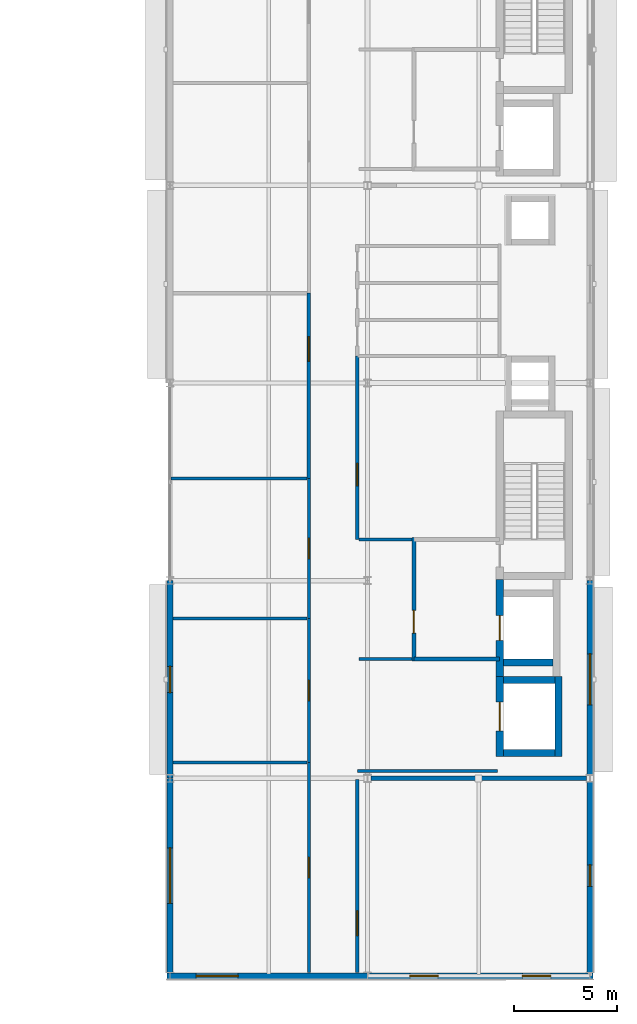
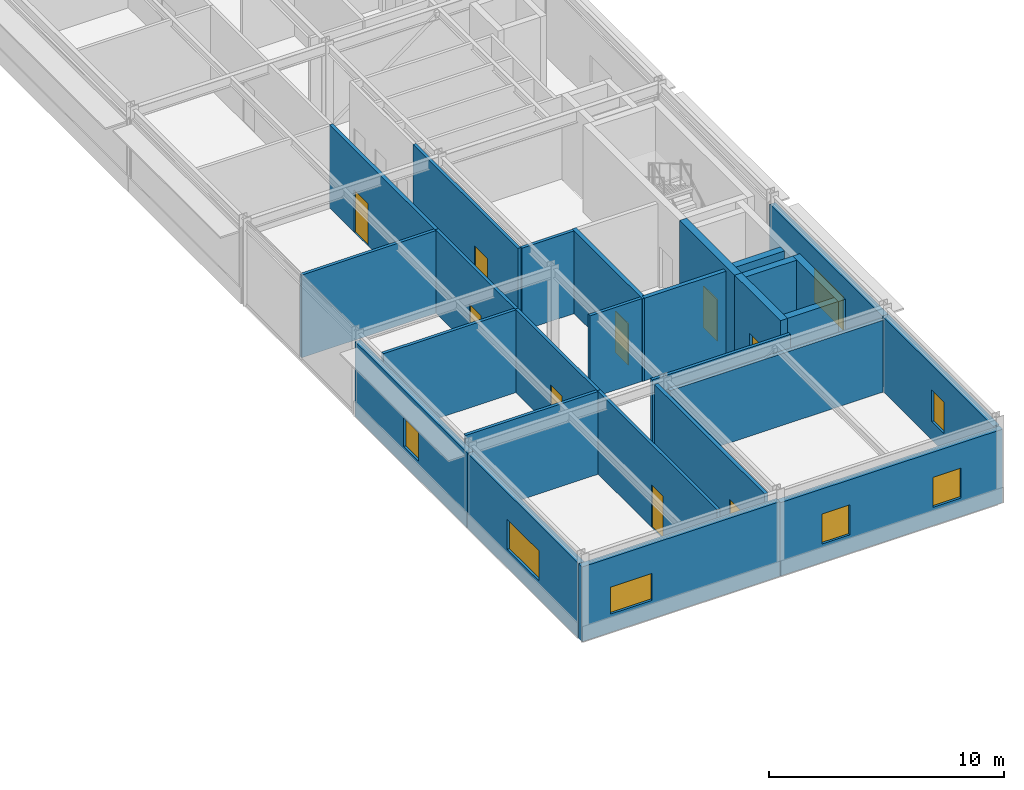
# One storey, part 66 of 89: 27 walls, 9 doors, 7 windows, 16 openings.
"""IFC4 building model written with IfcOpenShell, lengths in metres."""

from ifc_helpers import new_model, si_unit, direction, frame, frame_2d, origin, place, context, subcontext, project, spatial, rectangle, extrude, material, layer, layer_set, type_object, element, fill, save


model = new_model("IFC4")

# Units and contexts
model_context = context("Model", 3, precision=1e-05, world=origin(), true_north=direction((0.0, 1.0)))
body_context = subcontext(model_context, "Body", "Model", "MODEL_VIEW")
ifc_project = project(units=[si_unit("LENGTHUNIT", "METRE"), si_unit("AREAUNIT", "SQUARE_METRE"), si_unit("VOLUMEUNIT", "CUBIC_METRE"), si_unit("PLANEANGLEUNIT", "RADIAN"), si_unit("MASSUNIT", "GRAM", prefix="KILO")], contexts=[model_context])

# Site, building, storey
site_placement = place(None, origin())
site = spatial("IfcSite", under=ifc_project, at=site_placement, CompositionType="ELEMENT")
building_placement = place(site_placement, origin())
building = spatial("IfcBuilding", under=site, at=building_placement, Name="Almandine Court Research Institute", CompositionType="ELEMENT")
storey_placement = place(building_placement, frame((0.0, 0.0, 18.89990234375)))
storey = spatial("IfcBuildingStorey", under=building, at=storey_placement, Name="L04", CompositionType="ELEMENT", Elevation=18.89990234375)

# Wall, opening, window
ifc_material_1 = material(Name="Insulated Ochre Terracotta Rainscreen Wall", Category="masonry")
ifc_layer_1 = layer(ifc_material_1, 0.2900390625)
ifc_layer_set_1 = layer_set([ifc_layer_1], Name="Insulated Ochre Terracotta Rainscreen Wall")
wall_type_1 = type_object("IfcWallType", Name="Wall-EXT-TERR-290", PredefinedType="SOLIDWALL", material=ifc_layer_set_1)
wall_1_placement = place(storey_placement, frame((153.60009765625, 6.14892578125, 0.0), z_axis=(0.0, 0.0, 1.0), x_axis=(0.0, 1.0, 0.0)))
wall_1 = element("IfcWall", 1, at=wall_1_placement, inside=storey, type_object=wall_type_1, Name="L04 Wet Lab West Facade Wall 1", PredefinedType="SOLIDWALL", context=body_context, shape_type="SweptSolid", body=[
    extrude(rectangle(XDim=9.447021484375, YDim=0.2900390625, at=frame_2d((4.7236328125, 0.0))), origin(), (0.0, 0.0, 1.0), 3.89306640625),
])
opening_1_placement = place(wall_1_placement, frame((3.373046875, 0.0, 0.949951171875)))
opening_1 = element("IfcOpeningElement", 2, at=opening_1_placement, cuts=wall_1, Name="Opening WN-80", PredefinedType="OPENING", context=body_context, shape_type="SweptSolid", body=[
    extrude(rectangle(XDim=2.699951171875, YDim=1.56005859375, at=frame_2d((1.35009765625, 0.780029296875))), frame((0.0, 0.155029296875, 0.0), z_axis=(0.0, -1.0, 0.0), x_axis=(1.0, 0.0, 0.0)), (0.0, 0.0, 1.0), 0.31005859375),
])
ifc_material_2 = material(Name="Thermally Broken Low-E Double-Glazed Window", Category="glass")
window_type_1 = type_object("IfcWindowType", Name="Win-WN-80-2700x1560", PartitioningType="SINGLE_PANEL", PredefinedType="WINDOW", material=ifc_material_2)
window_1_placement = place(opening_1_placement, origin())
window_1 = element("IfcWindow", 3, at=window_1_placement, inside=storey, type_object=window_type_1, Name="L04 Modular Recessed Low-E Window 131", OverallHeight=1.56005859375, OverallWidth=2.699951171875, PartitioningType="SINGLE_PANEL", PredefinedType="WINDOW", context=body_context, shape_type="SweptSolid", body=[
    extrude(rectangle(XDim=2.699951171875, YDim=1.56005859375, at=frame_2d((1.35009765625, 0.780029296875))), frame((0.0, 0.030029296875, 0.0), z_axis=(0.0, -1.0, 0.0), x_axis=(1.0, 0.0, 0.0)), (0.0, 0.0, 1.0), 0.06005859375),
])
fill(opening_1, window_1)

wall_2_placement = place(storey_placement, frame((153.60009765625, 15.60400390625, 0.0), z_axis=(0.0, 0.0, 1.0), x_axis=(0.0, 1.0, 0.0)))
wall_2 = element("IfcWall", 4, at=wall_2_placement, inside=storey, type_object=wall_type_1, Name="L04 Wet Lab West Facade Wall 2", PredefinedType="SOLIDWALL", context=body_context, shape_type="SweptSolid", body=[
    extrude(rectangle(XDim=9.592041015625, YDim=0.2900390625, at=frame_2d((4.7958984375, 0.0))), origin(), (0.0, 0.0, 1.0), 3.89306640625),
])
opening_2_placement = place(wall_2_placement, frame((4.160888671875, 0.0, 0.949951171875)))
opening_2 = element("IfcOpeningElement", 5, at=opening_2_placement, cuts=wall_2, Name="Opening WN-81", PredefinedType="OPENING", context=body_context, shape_type="SweptSolid", body=[
    extrude(rectangle(XDim=1.27001953125, YDim=1.47998046875, at=frame_2d((0.635009765625, 0.739990234375))), frame((0.0, 0.155029296875, 0.0), z_axis=(0.0, -1.0, 0.0), x_axis=(1.0, 0.0, 0.0)), (0.0, 0.0, 1.0), 0.31005859375),
])
window_type_2 = type_object("IfcWindowType", Name="Win-WN-81-1270x1480", PartitioningType="SINGLE_PANEL", PredefinedType="WINDOW", material=ifc_material_2)
window_2_placement = place(opening_2_placement, origin())
window_2 = element("IfcWindow", 6, at=window_2_placement, inside=storey, type_object=window_type_2, Name="L04 Modular Recessed Low-E Window 132", OverallHeight=1.47998046875, OverallWidth=1.27001953125, PartitioningType="SINGLE_PANEL", PredefinedType="WINDOW", context=body_context, shape_type="SweptSolid", body=[
    extrude(rectangle(XDim=1.27001953125, YDim=1.47998046875, at=frame_2d((0.635009765625, 0.739990234375))), frame((0.0, 0.030029296875, 0.0), z_axis=(0.0, -1.0, 0.0), x_axis=(1.0, 0.0, 0.0)), (0.0, 0.0, 1.0), 0.06005859375),
])
fill(opening_2, window_2)

wall_3_placement = place(storey_placement, frame((174.0, 25.196044921875, 0.0), z_axis=(0.0, 0.0, 1.0), x_axis=(0.0, -1.0, 0.0)))
wall_3 = element("IfcWall", 7, at=wall_3_placement, inside=storey, type_object=wall_type_1, Name="L04 Wet Lab East Facade Wall 2", PredefinedType="SOLIDWALL", context=body_context, shape_type="SweptSolid", body=[
    extrude(rectangle(XDim=9.592041015625, YDim=0.2900390625, at=frame_2d((4.7958984375, 0.0))), origin(), (0.0, 0.0, 1.0), 3.884033203125),
])
opening_3_placement = place(wall_3_placement, frame((3.555908203125, 0.0, 0.949951171875)))
opening_3 = element("IfcOpeningElement", 8, at=opening_3_placement, cuts=wall_3, Name="Opening WN-74", PredefinedType="OPENING", context=body_context, shape_type="SweptSolid", body=[
    extrude(rectangle(XDim=2.47998046875, YDim=1.719970703125, at=frame_2d((1.239990234375, 0.85986328125))), frame((0.0, 0.155029296875, 0.0), z_axis=(0.0, -1.0, 0.0), x_axis=(1.0, 0.0, 0.0)), (0.0, 0.0, 1.0), 0.31005859375),
])
window_type_3 = type_object("IfcWindowType", Name="Win-WN-74-2480x1720", PartitioningType="SINGLE_PANEL", PredefinedType="WINDOW", material=ifc_material_2)
window_3_placement = place(opening_3_placement, origin())
window_3 = element("IfcWindow", 9, at=window_3_placement, inside=storey, type_object=window_type_3, Name="L04 Modular Recessed Low-E Window 141", OverallHeight=1.719970703125, OverallWidth=2.47998046875, PartitioningType="SINGLE_PANEL", PredefinedType="WINDOW", context=body_context, shape_type="SweptSolid", body=[
    extrude(rectangle(XDim=2.47998046875, YDim=1.719970703125, at=frame_2d((1.239990234375, 0.85986328125))), frame((0.0, 0.030029296875, 0.0), z_axis=(0.0, -1.0, 0.0), x_axis=(1.0, 0.0, 0.0)), (0.0, 0.0, 1.0), 0.06005859375),
])
fill(opening_3, window_3)

wall_4_placement = place(storey_placement, frame((174.0, 15.595947265625, 0.0), z_axis=(0.0, 0.0, 1.0), x_axis=(0.0, -1.0, 0.0)))
wall_4 = element("IfcWall", 10, at=wall_4_placement, inside=storey, type_object=wall_type_1, Name="L04 Wet Lab East Facade Wall 1", PredefinedType="SOLIDWALL", context=body_context, shape_type="SweptSolid", body=[
    extrude(rectangle(XDim=9.447021484375, YDim=0.2900390625, at=frame_2d((4.7236328125, 0.0))), origin(), (0.0, 0.0, 1.0), 3.884033203125),
])
opening_4_placement = place(wall_4_placement, frame((4.197998046875, 0.0, 0.949951171875)))
opening_4 = element("IfcOpeningElement", 11, at=opening_4_placement, cuts=wall_4, Name="Opening WN-11", PredefinedType="OPENING", context=body_context, shape_type="SweptSolid", body=[
    extrude(rectangle(XDim=1.050048828125, YDim=1.639892578125, at=frame_2d((0.52490234375, 0.81982421875))), frame((0.0, 0.155029296875, 0.0), z_axis=(0.0, -1.0, 0.0), x_axis=(1.0, 0.0, 0.0)), (0.0, 0.0, 1.0), 0.31005859375),
])
window_type_4 = type_object("IfcWindowType", Name="Win-WN-11-1050x1640", PartitioningType="SINGLE_PANEL", PredefinedType="WINDOW", material=ifc_material_2)
window_4_placement = place(opening_4_placement, origin())
window_4 = element("IfcWindow", 12, at=window_4_placement, inside=storey, type_object=window_type_4, Name="L04 Modular Recessed Low-E Window 142", OverallHeight=1.639892578125, OverallWidth=1.050048828125, PartitioningType="SINGLE_PANEL", PredefinedType="WINDOW", context=body_context, shape_type="SweptSolid", body=[
    extrude(rectangle(XDim=1.050048828125, YDim=1.639892578125, at=frame_2d((0.52490234375, 0.81982421875))), frame((0.0, 0.030029296875, 0.0), z_axis=(0.0, -1.0, 0.0), x_axis=(1.0, 0.0, 0.0)), (0.0, 0.0, 1.0), 0.06005859375),
])
fill(opening_4, window_4)

# Wall, openings, windows
wall_5_placement = place(storey_placement, frame((174.14501953125, 6.0, 0.0), z_axis=(0.0, 0.0, 1.0), x_axis=(-1.0, 0.0, 0.0)))
wall_5 = element("IfcWall", 13, at=wall_5_placement, inside=storey, type_object=wall_type_1, Name="L04 Wet Lab South Wall 1", PredefinedType="SOLIDWALL", context=body_context, shape_type="SweptSolid", body=[
    extrude(rectangle(XDim=10.94091796875, YDim=0.2900390625, at=frame_2d((5.470458984375, 0.0))), origin(), (0.0, 0.0, 1.0), 3.816162109375),
])
opening_5_placement = place(wall_5_placement, frame((2.044921875, 0.0, 0.949951171875)))
opening_5 = element("IfcOpeningElement", 14, at=opening_5_placement, cuts=wall_5, Name="Opening WN-75", PredefinedType="OPENING", context=body_context, shape_type="SweptSolid", body=[
    extrude(rectangle(XDim=1.3798828125, YDim=1.56005859375, at=frame_2d((0.68994140625, 0.780029296875))), frame((0.0, 0.155029296875, 0.0), z_axis=(0.0, -1.0, 0.0), x_axis=(1.0, 0.0, 0.0)), (0.0, 0.0, 1.0), 0.31005859375),
])
opening_6_placement = place(wall_5_placement, frame((7.51611328125, 0.0, 0.949951171875)))
opening_6 = element("IfcOpeningElement", 15, at=opening_6_placement, cuts=wall_5, Name="Opening WN-75", PredefinedType="OPENING", context=body_context, shape_type="SweptSolid", body=[
    extrude(rectangle(XDim=1.3798828125, YDim=1.56005859375, at=frame_2d((0.68994140625, 0.780029296875))), frame((0.0, 0.155029296875, 0.0), z_axis=(0.0, -1.0, 0.0), x_axis=(1.0, 0.0, 0.0)), (0.0, 0.0, 1.0), 0.31005859375),
])
window_type_5 = type_object("IfcWindowType", Name="Win-WN-75-1380x1560", PartitioningType="SINGLE_PANEL", PredefinedType="WINDOW", material=ifc_material_2)
window_5_placement = place(opening_5_placement, origin())
window_5 = element("IfcWindow", 16, at=window_5_placement, inside=storey, type_object=window_type_5, Name="L04 Modular Recessed Low-E Window 143", OverallHeight=1.56005859375, OverallWidth=1.3798828125, PartitioningType="SINGLE_PANEL", PredefinedType="WINDOW", context=body_context, shape_type="SweptSolid", body=[
    extrude(rectangle(XDim=1.3798828125, YDim=1.56005859375, at=frame_2d((0.68994140625, 0.780029296875))), frame((0.0, 0.030029296875, 0.0), z_axis=(0.0, -1.0, 0.0), x_axis=(1.0, 0.0, 0.0)), (0.0, 0.0, 1.0), 0.06005859375),
])
fill(opening_5, window_5)
window_6_placement = place(opening_6_placement, origin())
window_6 = element("IfcWindow", 17, at=window_6_placement, inside=storey, type_object=window_type_5, Name="L04 Modular Recessed Low-E Window 144", OverallHeight=1.56005859375, OverallWidth=1.3798828125, PartitioningType="SINGLE_PANEL", PredefinedType="WINDOW", context=body_context, shape_type="SweptSolid", body=[
    extrude(rectangle(XDim=1.3798828125, YDim=1.56005859375, at=frame_2d((0.68994140625, 0.780029296875))), frame((0.0, 0.030029296875, 0.0), z_axis=(0.0, -1.0, 0.0), x_axis=(1.0, 0.0, 0.0)), (0.0, 0.0, 1.0), 0.06005859375),
])
fill(opening_6, window_6)

# Wall, opening, window
wall_6_placement = place(storey_placement, frame((163.196044921875, 6.0, 0.0), z_axis=(0.0, 0.0, 1.0), x_axis=(-1.0, 0.0, 0.0)))
wall_6 = element("IfcWall", 18, at=wall_6_placement, inside=storey, type_object=wall_type_1, Name="L04 Wet Lab South Wall 2", PredefinedType="SOLIDWALL", context=body_context, shape_type="SweptSolid", body=[
    extrude(rectangle(XDim=9.740966796875, YDim=0.2900390625, at=frame_2d((4.87060546875, 0.0))), origin(), (0.0, 0.0, 1.0), 3.884033203125),
])
opening_7_placement = place(wall_6_placement, frame((6.285888671875, 0.0, 0.949951171875)))
opening_7 = element("IfcOpeningElement", 19, at=opening_7_placement, cuts=wall_6, Name="Opening WN-76", PredefinedType="OPENING", context=body_context, shape_type="SweptSolid", body=[
    extrude(rectangle(XDim=2.0400390625, YDim=1.39990234375, at=frame_2d((1.02001953125, 0.699951171875))), frame((0.0, 0.155029296875, 0.0), z_axis=(0.0, -1.0, 0.0), x_axis=(1.0, 0.0, 0.0)), (0.0, 0.0, 1.0), 0.31005859375),
])
window_type_6 = type_object("IfcWindowType", Name="Win-WN-76-2040x1400", PartitioningType="SINGLE_PANEL", PredefinedType="WINDOW", material=ifc_material_2)
window_7_placement = place(opening_7_placement, origin())
window_7 = element("IfcWindow", 20, at=window_7_placement, inside=storey, type_object=window_type_6, Name="L04 Modular Recessed Low-E Window 145", OverallHeight=1.39990234375, OverallWidth=2.0400390625, PartitioningType="SINGLE_PANEL", PredefinedType="WINDOW", context=body_context, shape_type="SweptSolid", body=[
    extrude(rectangle(XDim=2.0400390625, YDim=1.39990234375, at=frame_2d((1.02001953125, 0.699951171875))), frame((0.0, 0.030029296875, 0.0), z_axis=(0.0, -1.0, 0.0), x_axis=(1.0, 0.0, 0.0)), (0.0, 0.0, 1.0), 0.06005859375),
])
fill(opening_7, window_7)

# Wall, opening, door
ifc_material_3 = material(Name="One-Hour Fire-Rated Laboratory Partition")
ifc_layer_2 = layer(ifc_material_3, 0.175048828125)
ifc_layer_set_2 = layer_set([ifc_layer_2], Name="One-Hour Fire-Rated Laboratory Partition")
wall_type_2 = type_object("IfcWallType", Name="Wall-FIRE-175", PredefinedType="PARTITIONING", material=ifc_layer_set_2)
wall_7_placement = place(storey_placement, frame((160.35009765625, 30.159912109375, 0.0), z_axis=(0.0, 0.0, 1.0), x_axis=(0.0, 1.0, 0.0)))
wall_7 = element("IfcWall", 21, at=wall_7_placement, inside=storey, type_object=wall_type_2, Name="L04 Interior Partition W-V4-L04-WW-3", PredefinedType="PARTITIONING", context=body_context, shape_type="SweptSolid", body=[
    extrude(rectangle(XDim=9.0, YDim=0.175048828125, at=frame_2d((4.5, 0.0))), origin(), (0.0, 0.0, 1.0), 4.300048828125),
])
opening_8_placement = place(wall_7_placement, frame((5.68994140625, 0.0, 0.0)))
opening_8 = element("IfcOpeningElement", 22, at=opening_8_placement, cuts=wall_7, Name="Opening FD-LAB", PredefinedType="OPENING", context=body_context, shape_type="SweptSolid", body=[
    extrude(rectangle(XDim=1.199951171875, YDim=2.199951171875, at=frame_2d((0.60009765625, 1.10009765625))), frame((0.0, 0.097412109375, 0.0), z_axis=(0.0, -1.0, 0.0), x_axis=(1.0, 0.0, 0.0)), (0.0, 0.0, 1.0), 0.195068359375),
])
ifc_material_4 = material(Name="Fire-Rated Laboratory Containment Door")
door_type_1 = type_object("IfcDoorType", Name="Door-FD-LAB-1200", OperationType="NOTDEFINED", PredefinedType="DOOR", material=ifc_material_4)
door_1_placement = place(opening_8_placement, origin())
door_1 = element("IfcDoor", 23, at=door_1_placement, inside=storey, type_object=door_type_1, Name="L04 Wet Chemistry Laboratory Door", OperationType="SINGLE_SWING_LEFT", OverallHeight=2.199951171875, OverallWidth=1.199951171875, PredefinedType="DOOR", context=body_context, shape_type="SweptSolid", body=[
    extrude(rectangle(XDim=1.199951171875, YDim=2.199951171875, at=frame_2d((0.60009765625, 1.10009765625))), frame((0.0, 0.02490234375, 0.0), z_axis=(0.0, -1.0, 0.0), x_axis=(1.0, 0.0, 0.0)), (0.0, 0.0, 1.0), 0.050048828125),
])
fill(opening_8, door_1)

wall_8_placement = place(storey_placement, frame((162.699951171875, 6.159912109375, 0.0), z_axis=(0.0, 0.0, 1.0), x_axis=(0.0, 1.0, 0.0)))
wall_8 = element("IfcWall", 24, at=wall_8_placement, inside=storey, type_object=wall_type_2, Name="L04 Interior Partition W-V4-L04-EW-S", PredefinedType="PARTITIONING", context=body_context, shape_type="SweptSolid", body=[
    extrude(rectangle(XDim=9.39013671875, YDim=0.175048828125, at=frame_2d((4.695068359375, 0.0))), origin(), (0.0, 0.0, 1.0), 4.300048828125),
])
opening_9_placement = place(wall_8_placement, frame((1.800048828125, 0.0, 0.0)))
opening_9 = element("IfcOpeningElement", 25, at=opening_9_placement, cuts=wall_8, Name="Opening FD-LAB", PredefinedType="OPENING", context=body_context, shape_type="SweptSolid", body=[
    extrude(rectangle(XDim=1.199951171875, YDim=2.199951171875, at=frame_2d((0.60009765625, 1.10009765625))), frame((0.0, 0.097412109375, 0.0), z_axis=(0.0, -1.0, 0.0), x_axis=(1.0, 0.0, 0.0)), (0.0, 0.0, 1.0), 0.195068359375),
])
door_2_placement = place(opening_9_placement, origin())
door_2 = element("IfcDoor", 26, at=door_2_placement, inside=storey, type_object=door_type_1, Name="L04 Analytical Lab Door", OperationType="SINGLE_SWING_LEFT", OverallHeight=2.199951171875, OverallWidth=1.199951171875, PredefinedType="DOOR", context=body_context, shape_type="SweptSolid", body=[
    extrude(rectangle(XDim=1.199951171875, YDim=2.199951171875, at=frame_2d((0.60009765625, 1.10009765625))), frame((0.0, 0.02490234375, 0.0), z_axis=(0.0, -1.0, 0.0), x_axis=(1.0, 0.0, 0.0)), (0.0, 0.0, 1.0), 0.050048828125),
])
fill(opening_9, door_2)

# Wall
ifc_material_5 = material(Name="Two-Hour Fire-Barrier Enclosure Wall")
ifc_layer_3 = layer(ifc_material_5, 0.199951171875)
ifc_layer_set_3 = layer_set([ifc_layer_3], Name="Two-Hour Fire-Barrier Enclosure Wall")
wall_type_3 = type_object("IfcWallType", Name="Wall-FIRE-200", PredefinedType="SOLIDWALL", material=ifc_layer_set_3)
wall_9_placement = place(storey_placement, frame((163.360107421875, 15.60009765625, 0.0), z_axis=(0.0, 0.0, 1.0), x_axis=(1.0, 0.0, 0.0)))
element("IfcWall", 27, at=wall_9_placement, inside=storey, type_object=wall_type_3, Name="L04 Interior Partition W-BF-V4-BF1-L04", PredefinedType="SOLIDWALL", context=body_context, shape_type="SweptSolid", body=[
    extrude(rectangle(XDim=10.47998046875, YDim=0.199951171875, at=frame_2d((5.239990234375, 0.0))), origin(), (0.0, 0.0, 1.0), 3.739013671875),
])

# Wall, opening, door
wall_10_placement = place(storey_placement, frame((165.449951171875, 21.300048828125, 0.0), z_axis=(0.0, 0.0, 1.0), x_axis=(0.0, 1.0, 0.0)))
wall_10 = element("IfcWall", 28, at=wall_10_placement, inside=storey, type_object=wall_type_3, Name="L04 Interior Partition W-FFL1-L04-W", PredefinedType="SOLIDWALL", context=body_context, shape_type="SweptSolid", body=[
    extrude(rectangle(XDim=6.0, YDim=0.199951171875, at=frame_2d((3.0, 0.0))), origin(), (0.0, 0.0, 1.0), 4.300048828125),
])
opening_10_placement = place(wall_10_placement, frame((1.35009765625, 0.0, 0.0)))
opening_10 = element("IfcOpeningElement", 29, at=opening_10_placement, cuts=wall_10, Name="Opening FD-FFL", PredefinedType="OPENING", context=body_context, shape_type="SweptSolid", body=[
    extrude(rectangle(XDim=1.10009765625, YDim=2.14990234375, at=frame_2d((0.550048828125, 1.074951171875))), frame((0.0, 0.10986328125, 0.0), z_axis=(0.0, -1.0, 0.0), x_axis=(1.0, 0.0, 0.0)), (0.0, 0.0, 1.0), 0.219970703125),
])
ifc_material_6 = material(Name="Smoke-Tight Firefighting Lobby Fire Door")
door_type_2 = type_object("IfcDoorType", Name="Door-FD-FFL-1100", OperationType="NOTDEFINED", PredefinedType="DOOR", material=ifc_material_6)
door_3_placement = place(opening_10_placement, origin())
door_3 = element("IfcDoor", 30, at=door_3_placement, inside=storey, type_object=door_type_2, Name="L04 Firefighting Lobby Fire Door 1", OperationType="SINGLE_SWING_RIGHT", OverallHeight=2.14990234375, OverallWidth=1.10009765625, PredefinedType="DOOR", context=body_context, shape_type="SweptSolid", body=[
    extrude(rectangle(XDim=1.10009765625, YDim=2.14990234375, at=frame_2d((0.550048828125, 1.074951171875))), frame((0.0, 0.02490234375, 0.0), z_axis=(0.0, -1.0, 0.0), x_axis=(1.0, 0.0, 0.0)), (0.0, 0.0, 1.0), 0.050048828125),
])
fill(opening_10, door_3)

# Wall
wall_11_placement = place(storey_placement, frame((165.449951171875, 21.39990234375, 0.0), z_axis=(0.0, 0.0, 1.0), x_axis=(1.0, 0.0, 0.0)))
element("IfcWall", 31, at=wall_11_placement, inside=storey, type_object=wall_type_3, Name="L04 Interior Partition W-FFL1-L04-S", PredefinedType="SOLIDWALL", context=body_context, shape_type="SweptSolid", body=[
    extrude(rectangle(XDim=4.150146484375, YDim=0.199951171875, at=frame_2d((2.0751953125, 0.0))), origin(), (0.0, 0.0, 1.0), 4.300048828125),
])

# Wall, opening, door
ifc_material_7 = material(Name="Acoustic Steel-Stud Gypsum Partition Wall", Category="steel")
ifc_layer_4 = layer(ifc_material_7, 0.14990234375)
ifc_layer_set_4 = layer_set([ifc_layer_4], Name="Acoustic Steel-Stud Gypsum Partition Wall")
wall_type_4 = type_object("IfcWallType", Name="Wall-PART-150", PredefinedType="PARTITIONING", material=ifc_layer_set_4)
wall_12_placement = place(storey_placement, frame((160.35009765625, 6.159912109375, 0.0), z_axis=(0.0, 0.0, 1.0), x_axis=(0.0, 1.0, 0.0)))
wall_12 = element("IfcWall", 32, at=wall_12_placement, inside=storey, type_object=wall_type_4, Name="L04 Interior Partition W-V4-L04-WW-0", PredefinedType="PARTITIONING", context=body_context, shape_type="SweptSolid", body=[
    extrude(rectangle(XDim=10.2001953125, YDim=0.14990234375, at=frame_2d((5.10009765625, 0.0))), origin(), (0.0, 0.0, 1.0), 4.300048828125),
])
opening_11_placement = place(wall_12_placement, frame((4.60009765625, 0.0, 0.0)))
opening_11 = element("IfcOpeningElement", 33, at=opening_11_placement, cuts=wall_12, Name="Opening D-02", PredefinedType="OPENING", context=body_context, shape_type="SweptSolid", body=[
    extrude(rectangle(XDim=1.0, YDim=2.199951171875, at=frame_2d((0.5, 1.10009765625))), frame((0.0, 0.0849609375, 0.0), z_axis=(0.0, -1.0, 0.0), x_axis=(1.0, 0.0, 0.0)), (0.0, 0.0, 1.0), 0.169921875),
])
ifc_material_8 = material(Name="Solid-Core Timber Researcher Office Door", Category="wood")
door_type_3 = type_object("IfcDoorType", Name="Door-INT-1000", OperationType="NOTDEFINED", PredefinedType="DOOR", material=ifc_material_8)
door_4_placement = place(opening_11_placement, origin())
door_4 = element("IfcDoor", 34, at=door_4_placement, inside=storey, type_object=door_type_3, Name="L04 Seminar Room Door", OperationType="SINGLE_SWING_RIGHT", OverallHeight=2.199951171875, OverallWidth=1.0, PredefinedType="DOOR", context=body_context, shape_type="SweptSolid", body=[
    extrude(rectangle(XDim=1.0, YDim=2.199951171875, at=frame_2d((0.5, 1.10009765625))), frame((0.0, 0.02490234375, 0.0), z_axis=(0.0, -1.0, 0.0), x_axis=(1.0, 0.0, 0.0)), (0.0, 0.0, 1.0), 0.050048828125),
])
fill(opening_11, door_4)

# Wall
wall_13_placement = place(storey_placement, frame((153.760009765625, 16.360107421875, 0.0), z_axis=(0.0, 0.0, 1.0), x_axis=(1.0, 0.0, 0.0)))
element("IfcWall", 35, at=wall_13_placement, inside=storey, type_object=wall_type_4, Name="L04 Interior Partition W-V4-L04-WDIV-0", PredefinedType="PARTITIONING", context=body_context, shape_type="SweptSolid", body=[
    extrude(rectangle(XDim=6.510009765625, YDim=0.14990234375, at=frame_2d((3.2548828125, 0.0))), origin(), (0.0, 0.0, 1.0), 4.300048828125),
])

# Wall, opening, door
wall_14_placement = place(storey_placement, frame((160.35009765625, 16.360107421875, 0.0), z_axis=(0.0, 0.0, 1.0), x_axis=(0.0, 1.0, 0.0)))
wall_14 = element("IfcWall", 36, at=wall_14_placement, inside=storey, type_object=wall_type_4, Name="L04 Interior Partition W-V4-L04-WW-1", PredefinedType="PARTITIONING", context=body_context, shape_type="SweptSolid", body=[
    extrude(rectangle(XDim=7.0, YDim=0.14990234375, at=frame_2d((3.5, 0.0))), origin(), (0.0, 0.0, 1.0), 4.300048828125),
])
opening_12_placement = place(wall_14_placement, frame((3.0, 0.0, 0.0)))
opening_12 = element("IfcOpeningElement", 37, at=opening_12_placement, cuts=wall_14, Name="Opening D-02", PredefinedType="OPENING", context=body_context, shape_type="SweptSolid", body=[
    extrude(rectangle(XDim=1.0, YDim=2.199951171875, at=frame_2d((0.5, 1.10009765625))), frame((0.0, 0.0849609375, 0.0), z_axis=(0.0, -1.0, 0.0), x_axis=(1.0, 0.0, 0.0)), (0.0, 0.0, 1.0), 0.169921875),
])
door_5_placement = place(opening_12_placement, origin())
door_5 = element("IfcDoor", 38, at=door_5_placement, inside=storey, type_object=door_type_3, Name="L04 Instrument Room Door", OperationType="SINGLE_SWING_LEFT", OverallHeight=2.199951171875, OverallWidth=1.0, PredefinedType="DOOR", context=body_context, shape_type="SweptSolid", body=[
    extrude(rectangle(XDim=1.0, YDim=2.199951171875, at=frame_2d((0.5, 1.10009765625))), frame((0.0, 0.02490234375, 0.0), z_axis=(0.0, -1.0, 0.0), x_axis=(1.0, 0.0, 0.0)), (0.0, 0.0, 1.0), 0.050048828125),
])
fill(opening_12, door_5)

# Wall
wall_15_placement = place(storey_placement, frame((153.760009765625, 23.360107421875, 0.0), z_axis=(0.0, 0.0, 1.0), x_axis=(1.0, 0.0, 0.0)))
element("IfcWall", 39, at=wall_15_placement, inside=storey, type_object=wall_type_4, Name="L04 Interior Partition W-V4-L04-WDIV-1", PredefinedType="PARTITIONING", context=body_context, shape_type="SweptSolid", body=[
    extrude(rectangle(XDim=6.510009765625, YDim=0.14990234375, at=frame_2d((3.2548828125, 0.0))), origin(), (0.0, 0.0, 1.0), 4.300048828125),
])

# Wall, opening, door
wall_16_placement = place(storey_placement, frame((160.35009765625, 23.360107421875, 0.0), z_axis=(0.0, 0.0, 1.0), x_axis=(0.0, 1.0, 0.0)))
wall_16 = element("IfcWall", 40, at=wall_16_placement, inside=storey, type_object=wall_type_4, Name="L04 Interior Partition W-V4-L04-WW-2", PredefinedType="PARTITIONING", context=body_context, shape_type="SweptSolid", body=[
    extrude(rectangle(XDim=6.7998046875, YDim=0.14990234375, at=frame_2d((3.39990234375, 0.0))), origin(), (0.0, 0.0, 1.0), 4.300048828125),
])
opening_13_placement = place(wall_16_placement, frame((2.89990234375, 0.0, 0.0)))
opening_13 = element("IfcOpeningElement", 41, at=opening_13_placement, cuts=wall_16, Name="Opening D-02", PredefinedType="OPENING", context=body_context, shape_type="SweptSolid", body=[
    extrude(rectangle(XDim=1.0, YDim=2.199951171875, at=frame_2d((0.5, 1.10009765625))), frame((0.0, 0.0849609375, 0.0), z_axis=(0.0, -1.0, 0.0), x_axis=(1.0, 0.0, 0.0)), (0.0, 0.0, 1.0), 0.169921875),
])
door_6_placement = place(opening_13_placement, origin())
door_6 = element("IfcDoor", 42, at=door_6_placement, inside=storey, type_object=door_type_3, Name="L04 Write-up Office Door", OperationType="SINGLE_SWING_RIGHT", OverallHeight=2.199951171875, OverallWidth=1.0, PredefinedType="DOOR", context=body_context, shape_type="SweptSolid", body=[
    extrude(rectangle(XDim=1.0, YDim=2.199951171875, at=frame_2d((0.5, 1.10009765625))), frame((0.0, 0.02490234375, 0.0), z_axis=(0.0, -1.0, 0.0), x_axis=(1.0, 0.0, 0.0)), (0.0, 0.0, 1.0), 0.050048828125),
])
fill(opening_13, door_6)

# Walls
wall_17_placement = place(storey_placement, frame((153.659912109375, 30.159912109375, 0.0), z_axis=(0.0, 0.0, 1.0), x_axis=(1.0, 0.0, 0.0)))
element("IfcWall", 43, at=wall_17_placement, inside=storey, type_object=wall_type_4, Name="L04 Interior Partition W-V4-L04-WDIV-2", PredefinedType="PARTITIONING", context=body_context, shape_type="SweptSolid", body=[
    extrude(rectangle(XDim=6.610107421875, YDim=0.14990234375, at=frame_2d((3.30517578125, 0.0))), origin(), (0.0, 0.0, 1.0), 4.300048828125),
])
wall_18_placement = place(storey_placement, frame((162.780029296875, 27.199951171875, 0.0), z_axis=(0.0, 0.0, 1.0), x_axis=(1.0, 0.0, 0.0)))
element("IfcWall", 44, at=wall_18_placement, inside=storey, type_object=wall_type_4, Name="L04 Interior Partition W-V4-L04-SPEC-S", PredefinedType="PARTITIONING", context=body_context, shape_type="SweptSolid", body=[
    extrude(rectangle(XDim=2.570068359375, YDim=0.14990234375, at=frame_2d((1.28515625, 0.0))), origin(), (0.0, 0.0, 1.0), 4.300048828125),
])

# Wall, opening, door
wall_19_placement = place(storey_placement, frame((162.699951171875, 27.199951171875, 0.0), z_axis=(0.0, 0.0, 1.0), x_axis=(0.0, 1.0, 0.0)))
wall_19 = element("IfcWall", 45, at=wall_19_placement, inside=storey, type_object=wall_type_4, Name="L04 Interior Partition W-V4-L04-EW-M", PredefinedType="PARTITIONING", context=body_context, shape_type="SweptSolid", body=[
    extrude(rectangle(XDim=8.920166015625, YDim=0.14990234375, at=frame_2d((4.4599609375, 0.0))), origin(), (0.0, 0.0, 1.0), 4.300048828125),
])
opening_14_placement = place(wall_19_placement, frame((2.60009765625, 0.0, 0.0)))
opening_14 = element("IfcOpeningElement", 46, at=opening_14_placement, cuts=wall_19, Name="Opening D-03", PredefinedType="OPENING", context=body_context, shape_type="SweptSolid", body=[
    extrude(rectangle(XDim=1.10009765625, YDim=2.199951171875, at=frame_2d((0.550048828125, 1.10009765625))), frame((0.0, 0.0849609375, 0.0), z_axis=(0.0, -1.0, 0.0), x_axis=(1.0, 0.0, 0.0)), (0.0, 0.0, 1.0), 0.169921875),
])
ifc_material_9 = material(Name="Acoustic Vision-Panel Seminar Door")
door_type_4 = type_object("IfcDoorType", Name="Door-INT-1100", OperationType="NOTDEFINED", PredefinedType="DOOR", material=ifc_material_9)
door_7_placement = place(opening_14_placement, origin())
door_7 = element("IfcDoor", 47, at=door_7_placement, inside=storey, type_object=door_type_4, Name="L04 Spectroscopy Suite Door", OperationType="SINGLE_SWING_RIGHT", OverallHeight=2.199951171875, OverallWidth=1.10009765625, PredefinedType="DOOR", context=body_context, shape_type="SweptSolid", body=[
    extrude(rectangle(XDim=1.10009765625, YDim=2.199951171875, at=frame_2d((0.550048828125, 1.10009765625))), frame((0.0, 0.02490234375, 0.0), z_axis=(0.0, -1.0, 0.0), x_axis=(1.0, 0.0, 0.0)), (0.0, 0.0, 1.0), 0.050048828125),
])
fill(opening_14, door_7)

# Walls
wall_20_placement = place(storey_placement, frame((162.780029296875, 21.39990234375, 0.0), z_axis=(0.0, 0.0, 1.0), x_axis=(1.0, 0.0, 0.0)))
element("IfcWall", 48, at=wall_20_placement, inside=storey, type_object=wall_type_4, Name="L04 Interior Partition W-V4-L04-FFL1-CS", PredefinedType="PARTITIONING", context=body_context, shape_type="SweptSolid", body=[
    extrude(rectangle(XDim=2.570068359375, YDim=0.14990234375, at=frame_2d((1.28515625, 0.0))), origin(), (0.0, 0.0, 1.0), 4.300048828125),
])
wall_21_placement = place(storey_placement, frame((162.699951171875, 15.949951171875, 0.0), z_axis=(0.0, 0.0, 1.0), x_axis=(1.0, 0.0, 0.0)))
element("IfcWall", 49, at=wall_21_placement, inside=storey, type_object=wall_type_4, Name="L04 Interior Partition W-V4-L04-GL1-CS", PredefinedType="PARTITIONING", context=body_context, shape_type="SweptSolid", body=[
    extrude(rectangle(XDim=6.800048828125, YDim=0.14990234375, at=frame_2d((3.39990234375, 0.0))), origin(), (0.0, 0.0, 1.0), 4.300048828125),
])

# Wall, opening, door
ifc_material_10 = material(Name="Concrete C40/50", Category="concrete")
ifc_layer_5 = layer(ifc_material_10, 0.35009765625)
ifc_layer_set_5 = layer_set([ifc_layer_5], Name="Concrete C40/50")
wall_type_5 = type_object("IfcWallType", Name="Wall-SW-CORE-350", PredefinedType="SHEAR", material=ifc_layer_set_5)
wall_22_placement = place(storey_placement, frame((169.625, 20.550048828125, 0.0), z_axis=(0.0, 0.0, 1.0), x_axis=(0.0, 1.0, 0.0)))
wall_22 = element("IfcWall", 50, at=wall_22_placement, inside=storey, type_object=wall_type_5, Name="L04 FL-01 Hoistway W Shear Wall", PredefinedType="SHEAR", context=body_context, shape_type="SweptSolid", body=[
    extrude(rectangle(XDim=4.699951171875, YDim=0.35009765625, at=frame_2d((2.35009765625, 0.0))), origin(), (0.0, 0.0, 1.0), 4.550048828125),
])
opening_15_placement = place(wall_22_placement, frame((1.75, 0.0, 0.0)))
opening_15 = element("IfcOpeningElement", 51, at=opening_15_placement, cuts=wall_22, Name="Opening LD-02", PredefinedType="OPENING", context=body_context, shape_type="SweptSolid", body=[
    extrude(rectangle(XDim=1.199951171875, YDim=2.14990234375, at=frame_2d((0.60009765625, 1.074951171875))), frame((0.0, 0.18505859375, 0.0), z_axis=(0.0, -1.0, 0.0), x_axis=(1.0, 0.0, 0.0)), (0.0, 0.0, 1.0), 0.3701171875),
])
ifc_material_11 = material(Name="Firefighting Lift Landing Sliding Door")
door_type_5 = type_object("IfcDoorType", Name="Door-LD-FSAE-1200", OperationType="SLIDING_TO_LEFT", PredefinedType="USERDEFINED", material=ifc_material_11)
door_8_placement = place(opening_15_placement, origin())
door_8 = element("IfcDoor", 52, at=door_8_placement, inside=storey, type_object=door_type_5, Name="L04 Firefighting Lift FL-01 Sliding Landing Door", ObjectType="LANDING DOOR", OperationType="SLIDING_TO_LEFT", OverallHeight=2.14990234375, OverallWidth=1.199951171875, PredefinedType="USERDEFINED", context=body_context, shape_type="SweptSolid", body=[
    extrude(rectangle(XDim=1.199951171875, YDim=2.14990234375, at=frame_2d((0.60009765625, 1.074951171875))), frame((0.0, 0.02490234375, 0.0), z_axis=(0.0, -1.0, 0.0), x_axis=(1.0, 0.0, 0.0)), (0.0, 0.0, 1.0), 0.050048828125),
])
fill(opening_15, door_8)

# Wall
wall_23_placement = place(storey_placement, frame((172.199951171875, 21.22509765625, 0.0), z_axis=(0.0, 0.0, 1.0), x_axis=(-1.0, 0.0, 0.0)))
element("IfcWall", 53, at=wall_23_placement, inside=storey, type_object=wall_type_5, Name="L04 FL-01 Hoistway S Shear Wall", PredefinedType="SHEAR", context=body_context, shape_type="SweptSolid", body=[
    extrude(rectangle(XDim=2.39990234375, YDim=0.35009765625, at=frame_2d((1.199951171875, 0.0))), origin(), (0.0, 0.0, 1.0), 4.550048828125),
])

# Wall, opening, door
wall_24_placement = place(storey_placement, frame((169.625, 16.64990234375, 0.0), z_axis=(0.0, 0.0, 1.0), x_axis=(0.0, 1.0, 0.0)))
wall_24 = element("IfcWall", 54, at=wall_24_placement, inside=storey, type_object=wall_type_5, Name="L04 GL-01 Hoistway W Shear Wall", PredefinedType="SHEAR", context=body_context, shape_type="SweptSolid", body=[
    extrude(rectangle(XDim=3.900146484375, YDim=0.35009765625, at=frame_2d((1.9501953125, 0.0))), origin(), (0.0, 0.0, 1.0), 4.550048828125),
])
opening_16_placement = place(wall_24_placement, frame((1.25, 0.0, 0.0)))
opening_16 = element("IfcOpeningElement", 55, at=opening_16_placement, cuts=wall_24, Name="Opening LD-03", PredefinedType="OPENING", context=body_context, shape_type="SweptSolid", body=[
    extrude(rectangle(XDim=1.39990234375, YDim=2.300048828125, at=frame_2d((0.699951171875, 1.14990234375))), frame((0.0, 0.18505859375, 0.0), z_axis=(0.0, -1.0, 0.0), x_axis=(1.0, 0.0, 0.0)), (0.0, 0.0, 1.0), 0.3701171875),
])
ifc_material_12 = material(Name="Heavy Goods Lift Landing Sliding Door")
door_type_6 = type_object("IfcDoorType", Name="Door-LD-GOOD-1400", OperationType="SLIDING_TO_LEFT", PredefinedType="USERDEFINED", material=ifc_material_12)
door_9_placement = place(opening_16_placement, origin())
door_9 = element("IfcDoor", 56, at=door_9_placement, inside=storey, type_object=door_type_6, Name="L04 Wet Laboratory Goods Lift GL-01 Sliding Landing Door", ObjectType="LANDING DOOR", OperationType="SLIDING_TO_LEFT", OverallHeight=2.300048828125, OverallWidth=1.39990234375, PredefinedType="USERDEFINED", context=body_context, shape_type="SweptSolid", body=[
    extrude(rectangle(XDim=1.39990234375, YDim=2.300048828125, at=frame_2d((0.699951171875, 1.14990234375))), frame((0.0, 0.02490234375, 0.0), z_axis=(0.0, -1.0, 0.0), x_axis=(1.0, 0.0, 0.0)), (0.0, 0.0, 1.0), 0.050048828125),
])
fill(opening_16, door_9)

# Walls
wall_25_placement = place(storey_placement, frame((169.800048828125, 20.375, 0.0), z_axis=(0.0, 0.0, 1.0), x_axis=(1.0, 0.0, 0.0)))
element("IfcWall", 57, at=wall_25_placement, inside=storey, type_object=wall_type_5, Name="L04 GL-01 Hoistway N Shear Wall", PredefinedType="SHEAR", context=body_context, shape_type="SweptSolid", body=[
    extrude(rectangle(XDim=2.5, YDim=0.35009765625, at=frame_2d((1.25, 0.0))), origin(), (0.0, 0.0, 1.0), 4.550048828125),
])
wall_26_placement = place(storey_placement, frame((172.47509765625, 20.550048828125, 0.0), z_axis=(0.0, 0.0, 1.0), x_axis=(0.0, -1.0, 0.0)))
element("IfcWall", 58, at=wall_26_placement, inside=storey, type_object=wall_type_5, Name="L04 GL-01 Hoistway E Shear Wall", PredefinedType="SHEAR", context=body_context, shape_type="SweptSolid", body=[
    extrude(rectangle(XDim=3.900146484375, YDim=0.35009765625, at=frame_2d((1.9501953125, 0.0))), origin(), (0.0, 0.0, 1.0), 4.550048828125),
])
wall_27_placement = place(storey_placement, frame((172.300048828125, 16.824951171875, 0.0), z_axis=(0.0, 0.0, 1.0), x_axis=(-1.0, 0.0, 0.0)))
element("IfcWall", 59, at=wall_27_placement, inside=storey, type_object=wall_type_5, Name="L04 GL-01 Hoistway S Shear Wall", PredefinedType="SHEAR", context=body_context, shape_type="SweptSolid", body=[
    extrude(rectangle(XDim=2.5, YDim=0.35009765625, at=frame_2d((1.25, 0.0))), origin(), (0.0, 0.0, 1.0), 4.550048828125),
])

save(model, "model.ifc")
